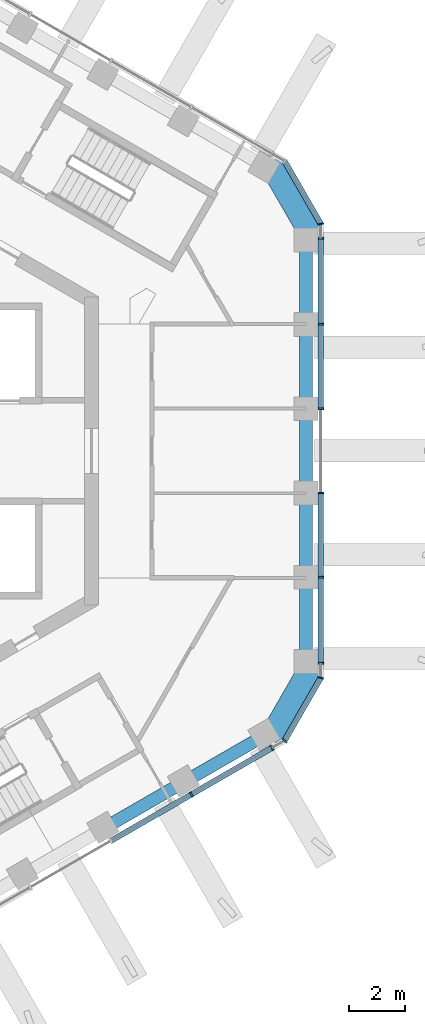
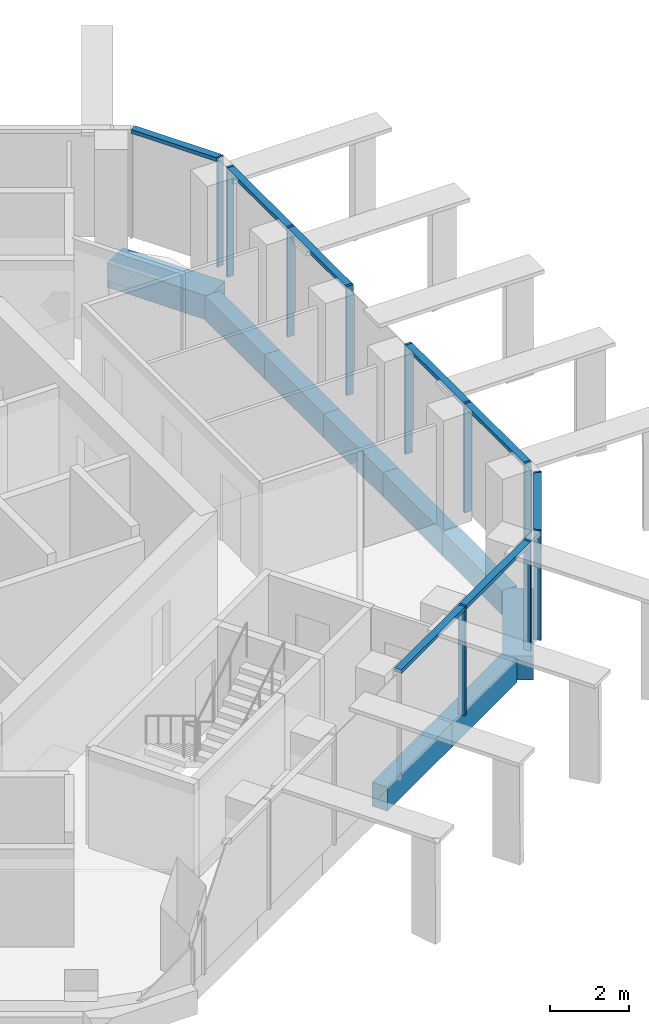
# One storey, part 4 of 18: 16 members, 9 beams, 4 elements without a shape of their own.
"""IFC4 building model written with IfcOpenShell, lengths in metres."""

from ifc_helpers import new_model, si_unit, direction, frame, origin, origin_2d, place, context, subcontext, project, spatial, rectangle, extrude, material, layer, layer_set, material_profile, profile_set, type_object, element, aggregate, save


model = new_model("IFC4")

# Units and contexts
model_context = context("Model", 3, precision=1e-05, world=origin(), true_north=direction((0.0, 1.0)))
body_context = subcontext(model_context, "Body", "Model", "MODEL_VIEW")
ifc_project = project(units=[si_unit("LENGTHUNIT", "METRE"), si_unit("AREAUNIT", "SQUARE_METRE"), si_unit("VOLUMEUNIT", "CUBIC_METRE"), si_unit("PLANEANGLEUNIT", "RADIAN"), si_unit("MASSUNIT", "GRAM", prefix="KILO")], contexts=[model_context])

# Site, building, storey
site_placement = place(None, origin())
site = spatial("IfcSite", under=ifc_project, at=site_placement, CompositionType="ELEMENT")
building_placement = place(site_placement, origin())
building = spatial("IfcBuilding", under=site, at=building_placement, Name="Ayvan Gate Tower", CompositionType="ELEMENT")
storey_placement = place(building_placement, frame((0.0, 0.0, 242.699951171875)))
storey = spatial("IfcBuildingStorey", under=building, at=storey_placement, Name="L65", CompositionType="ELEMENT", Elevation=242.699951171875)

# Beams
ifc_material_1 = material(Name="Concrete C40/50", Category="concrete")
ifc_material_profile_1 = material_profile(ifc_material_1, rectangle(XDim=0.800048828125, YDim=0.75, at=origin_2d()), Name="RC 800x750")
ifc_profile_set_1 = profile_set([ifc_material_profile_1], Name="Concrete C40/50")
beam_type_1 = type_object("IfcBeamType", Name="Corner spandrel beam RC 800x750 C40/50", PredefinedType="BEAM", material=ifc_profile_set_1)
for number, where, z_axis, x_axis, name in (
    (1, (17.078125, 7.662841796875, -0.724853515625), (-0.499990139034, 0.866031096941, 0.0), (-0.866031096941, -0.499990139034, 0.0), "SB-L65-6"),
    (2, (15.578125, -10.260986328125, -0.724853515625), (0.499990139034, 0.866031096941, 0.0), (-0.866031096941, 0.499990139034, 0.0), "SB-L65-36"),
):
    element("IfcBeam", number, at=place(storey_placement, frame(where, z_axis=z_axis, x_axis=x_axis)), inside=storey, type_object=beam_type_1, Name=name, PredefinedType="BEAM", context=body_context, shape_type="SweptSolid", body=[
        extrude(rectangle(XDim=0.800048828125, YDim=0.75, at=origin_2d()), origin(), (0.0, 0.0, 1.0), 3.0),
    ])
ifc_material_profile_2 = material_profile(ifc_material_1, rectangle(XDim=0.449951171875, YDim=0.75, at=origin_2d()), Name="RC 450x750")
ifc_profile_set_2 = profile_set([ifc_material_profile_2], Name="Concrete C40/50")
beam_type_2 = type_object("IfcBeamType", Name="Spandrel beam RC 450x750 C40/50", PredefinedType="BEAM", material=ifc_profile_set_2)
for number, where, z_axis, x_axis, name in (
    (3, (16.887451171875, -7.552978515625, -0.724853515625), (0.0, 1.0, 0.0), (-1.0, 0.0, 0.0), "SB-L65-1"),
    (4, (16.887451171875, -4.53173828125, -0.724853515625), (0.0, 1.0, 0.0), (-1.0, 0.0, 0.0), "SB-L65-2"),
):
    element("IfcBeam", number, at=place(storey_placement, frame(where, z_axis=z_axis, x_axis=x_axis)), inside=storey, type_object=beam_type_2, Name=name, PredefinedType="BEAM", context=body_context, shape_type="SweptSolid", body=[
        extrude(rectangle(XDim=0.449951171875, YDim=0.75, at=origin_2d()), origin(), (0.0, 0.0, 1.0), 3.021240234375),
    ])
beam_1_placement = place(storey_placement, frame((16.887451171875, -1.510498046875, -0.724853515625), z_axis=(0.0, 1.0, 0.0), x_axis=(-1.0, 0.0, 0.0)))
element("IfcBeam", 5, at=beam_1_placement, inside=storey, type_object=beam_type_2, Name="SB-L65-3", PredefinedType="BEAM", context=body_context, shape_type="SweptSolid", body=[
    extrude(rectangle(XDim=0.449951171875, YDim=0.75, at=origin_2d()), origin(), (0.0, 0.0, 1.0), 3.02099609375),
])
for number, where, z_axis, x_axis, name in (
    (6, (16.887451171875, 1.510498046875, -0.724853515625), (0.0, 1.0, 0.0), (-1.0, 0.0, 0.0), "SB-L65-4"),
    (7, (16.887451171875, 4.53173828125, -0.724853515625), (0.0, 1.0, 0.0), (-1.0, 0.0, 0.0), "SB-L65-5"),
):
    element("IfcBeam", number, at=place(storey_placement, frame(where, z_axis=z_axis, x_axis=x_axis)), inside=storey, type_object=beam_type_2, Name=name, PredefinedType="BEAM", context=body_context, shape_type="SweptSolid", body=[
        extrude(rectangle(XDim=0.449951171875, YDim=0.75, at=origin_2d()), origin(), (0.0, 0.0, 1.0), 3.021240234375),
    ])
beam_2_placement = place(storey_placement, frame((9.67138671875, -13.451171875, -0.724853515625), z_axis=(0.8660266723, 0.49999780286, 0.0), x_axis=(-0.49999780286, 0.8660266723, 0.0)))
element("IfcBeam", 8, at=beam_2_placement, inside=storey, type_object=beam_type_2, Name="SB-L65-34", PredefinedType="BEAM", context=body_context, shape_type="SweptSolid", body=[
    extrude(rectangle(XDim=0.449951171875, YDim=0.75, at=origin_2d()), origin(), (0.0, 0.0, 1.0), 3.30029296875),
])
beam_3_placement = place(storey_placement, frame((12.529541015625, -11.801025390625, -0.724853515625), z_axis=(0.866008176907, 0.50002983664, 0.0), x_axis=(-0.50002983664, 0.866008176907, 0.0)))
element("IfcBeam", 9, at=beam_3_placement, inside=storey, type_object=beam_type_2, Name="SB-L65-35", PredefinedType="BEAM", context=body_context, shape_type="SweptSolid", body=[
    extrude(rectangle(XDim=0.449951171875, YDim=0.75, at=origin_2d()), origin(), (0.0, 0.0, 1.0), 3.300048828125),
])

# Curtain wall, members
ifc_material_2 = material(Name="Bronze anodised aluminium", Category="aluminium")
ifc_layer_1 = layer(ifc_material_2, 0.199951171875)
ifc_layer_set_1 = layer_set([ifc_layer_1], Name="Bronze anodised aluminium")
curtain_wall_type_1 = type_object("IfcCurtainWallType", Name="Stick curtain wall CW-2", PredefinedType="NOTDEFINED", material=ifc_layer_set_1)
curtain_wall_1_placement = place(storey_placement, origin())
curtain_wall_1 = element("IfcCurtainWall", 10, at=curtain_wall_1_placement, inside=storey, type_object=curtain_wall_type_1, Name="Stick curtain wall CW-2 L65", PredefinedType="NOTDEFINED")
ifc_material_profile_3 = material_profile(ifc_material_2, rectangle(XDim=0.199951171875, YDim=0.070068359375, at=origin_2d()), Name="Stick curtain wall CW-2 mullion 200 x 70")
ifc_profile_set_3 = profile_set([ifc_material_profile_3], Name="Bronze anodised aluminium")
member_type_1 = type_object("IfcMemberType", Name="Stick curtain wall CW-2 mullion 200 x 70", PredefinedType="MULLION", material=ifc_profile_set_3)
member_1_placement = place(storey_placement, frame((12.79833984375, -12.2373046875, 0.0), z_axis=(0.0, 0.0, 1.0), x_axis=(0.5, -0.866025403784, 0.0)))
member_1 = element("IfcMember", 11, at=member_1_placement, type_object=member_type_1, Name="CW-2 mullion 5", PredefinedType="MULLION", context=body_context, shape_type="SweptSolid", body=[
    extrude(rectangle(XDim=0.199951171875, YDim=0.070068359375, at=origin_2d()), origin(), (0.0, 0.0, 1.0), 3.400146484375),
])
member_2_placement = place(storey_placement, frame((15.679443359375, -10.573974609375, 0.0), z_axis=(0.0, 0.0, 1.0), x_axis=(0.5, -0.866025403784, 0.0)))
member_2 = element("IfcMember", 12, at=member_2_placement, type_object=member_type_1, Name="CW-2 mullion 6", PredefinedType="MULLION", context=body_context, shape_type="SweptSolid", body=[
    extrude(rectangle(XDim=0.199951171875, YDim=0.070068359375, at=origin_2d()), origin(), (0.0, 0.0, 1.0), 3.400146484375),
])

curtain_wall_2_placement = place(storey_placement, origin())
curtain_wall_2 = element("IfcCurtainWall", 13, at=curtain_wall_2_placement, inside=storey, type_object=curtain_wall_type_1, Name="Stick curtain wall CW-2 L65", PredefinedType="NOTDEFINED")
member_3_placement = place(storey_placement, frame((17.41259765625, -7.572265625, 0.0), z_axis=(0.0, 0.0, 1.0), x_axis=(1.0, 0.0, 0.0)))
member_3 = element("IfcMember", 14, at=member_3_placement, type_object=member_type_1, Name="CW-2 mullion 1", PredefinedType="MULLION", context=body_context, shape_type="SweptSolid", body=[
    extrude(rectangle(XDim=0.199951171875, YDim=0.070068359375, at=origin_2d()), origin(), (0.0, 0.0, 1.0), 3.400146484375),
])
member_4_placement = place(storey_placement, frame((17.41259765625, -4.50244140625, 0.0), z_axis=(0.0, 0.0, 1.0), x_axis=(1.0, 0.0, 0.0)))
member_4 = element("IfcMember", 15, at=member_4_placement, type_object=member_type_1, Name="CW-2 mullion 2", PredefinedType="MULLION", context=body_context, shape_type="SweptSolid", body=[
    extrude(rectangle(XDim=0.199951171875, YDim=0.070068359375, at=origin_2d()), origin(), (0.0, 0.0, 1.0), 3.400146484375),
])
member_5_placement = place(storey_placement, frame((17.41259765625, -1.50048828125, 0.0), z_axis=(0.0, 0.0, 1.0), x_axis=(1.0, 0.0, 0.0)))
member_5 = element("IfcMember", 16, at=member_5_placement, type_object=member_type_1, Name="CW-2 mullion 3", PredefinedType="MULLION", context=body_context, shape_type="SweptSolid", body=[
    extrude(rectangle(XDim=0.199951171875, YDim=0.070068359375, at=origin_2d()), origin(), (0.0, 0.0, 1.0), 3.400146484375),
])
member_6_placement = place(storey_placement, frame((17.41259765625, 1.500732421875, 0.0), z_axis=(0.0, 0.0, 1.0), x_axis=(1.0, 0.0, 0.0)))
member_6 = element("IfcMember", 17, at=member_6_placement, type_object=member_type_1, Name="CW-2 mullion 4", PredefinedType="MULLION", context=body_context, shape_type="SweptSolid", body=[
    extrude(rectangle(XDim=0.199951171875, YDim=0.070068359375, at=origin_2d()), origin(), (0.0, 0.0, 1.0), 3.400146484375),
])
member_7_placement = place(storey_placement, frame((17.41259765625, 4.502685546875, 0.0), z_axis=(0.0, 0.0, 1.0), x_axis=(1.0, 0.0, 0.0)))
member_7 = element("IfcMember", 18, at=member_7_placement, type_object=member_type_1, Name="CW-2 mullion 5", PredefinedType="MULLION", context=body_context, shape_type="SweptSolid", body=[
    extrude(rectangle(XDim=0.199951171875, YDim=0.070068359375, at=origin_2d()), origin(), (0.0, 0.0, 1.0), 3.400146484375),
])
member_8_placement = place(storey_placement, frame((17.41259765625, 7.572265625, 0.0), z_axis=(0.0, 0.0, 1.0), x_axis=(1.0, 0.0, 0.0)))
member_8 = element("IfcMember", 19, at=member_8_placement, type_object=member_type_1, Name="CW-2 mullion 6", PredefinedType="MULLION", context=body_context, shape_type="SweptSolid", body=[
    extrude(rectangle(XDim=0.199951171875, YDim=0.070068359375, at=origin_2d()), origin(), (0.0, 0.0, 1.0), 3.400146484375),
])

# Member
ifc_material_profile_4 = material_profile(ifc_material_2, rectangle(XDim=0.199951171875, YDim=0.1201171875, at=origin_2d()), Name="Stick curtain wall CW-2 transom 200 x 120")
ifc_profile_set_4 = profile_set([ifc_material_profile_4], Name="Bronze anodised aluminium")
member_type_2 = type_object("IfcMemberType", Name="Stick curtain wall CW-2 transom 200 x 120", PredefinedType="USERDEFINED", material=ifc_profile_set_4)
member_9_placement = place(storey_placement, frame((9.962158203125, -13.874755859375, 3.340087890625), z_axis=(0.866031626602, 0.49998922161, 0.0), x_axis=(-0.49998922161, 0.866031626602, 0.0)))
member_9 = element("IfcMember", 20, at=member_9_placement, type_object=member_type_2, Name="CW-2 transom 2", ObjectType="TRANSOM", PredefinedType="USERDEFINED", context=body_context, shape_type="SweptSolid", body=[
    extrude(rectangle(XDim=0.199951171875, YDim=0.1201171875, at=origin_2d()), origin(), (0.0, 0.0, 1.0), 6.601806640625),
])

aggregate(curtain_wall_1, [member_1, member_2, member_9])

member_10_placement = place(storey_placement, frame((17.41259765625, -7.572265625, 3.340087890625), z_axis=(0.0, 1.0, 0.0), x_axis=(-1.0, 0.0, 0.0)))
member_10 = element("IfcMember", 21, at=member_10_placement, type_object=member_type_2, Name="CW-2 transom 1", ObjectType="TRANSOM", PredefinedType="USERDEFINED", context=body_context, shape_type="SweptSolid", body=[
    extrude(rectangle(XDim=0.199951171875, YDim=0.1201171875, at=origin_2d()), origin(), (0.0, 0.0, 1.0), 6.036865234375),
])

member_11_placement = place(storey_placement, frame((17.41259765625, 1.53564453125, 3.340087890625), z_axis=(0.0, 1.0, 0.0), x_axis=(-1.0, 0.0, 0.0)))
member_11 = element("IfcMember", 22, at=member_11_placement, type_object=member_type_2, Name="CW-2 transom 2", ObjectType="TRANSOM", PredefinedType="USERDEFINED", context=body_context, shape_type="SweptSolid", body=[
    extrude(rectangle(XDim=0.199951171875, YDim=0.1201171875, at=origin_2d()), origin(), (0.0, 0.0, 1.0), 6.03662109375),
])

aggregate(curtain_wall_2, [member_3, member_4, member_5, member_6, member_7, member_8, member_10, member_11])

# Curtain wall, members
ifc_layer_2 = layer(ifc_material_2, 0.199951171875)
ifc_layer_set_2 = layer_set([ifc_layer_2], Name="Bronze anodised aluminium")
curtain_wall_type_2 = type_object("IfcCurtainWallType", Name="Stick curtain wall CW-6", PredefinedType="NOTDEFINED", material=ifc_layer_set_2)
curtain_wall_3_placement = place(storey_placement, origin())
curtain_wall_3 = element("IfcCurtainWall", 23, at=curtain_wall_3_placement, inside=storey, type_object=curtain_wall_type_2, Name="Stick curtain wall CW-6 L65", PredefinedType="NOTDEFINED")
ifc_material_profile_5 = material_profile(ifc_material_2, rectangle(XDim=0.199951171875, YDim=0.050048828125, at=origin_2d()), Name="Stick curtain wall CW-6 mullion 200 x 50")
ifc_profile_set_5 = profile_set([ifc_material_profile_5], Name="Bronze anodised aluminium")
member_type_3 = type_object("IfcMemberType", Name="Stick curtain wall CW-6 mullion 200 x 50", PredefinedType="MULLION", material=ifc_profile_set_5)
member_12_placement = place(storey_placement, frame((16.12109375, -10.31884765625, 0.0), z_axis=(0.0, 0.0, 1.0), x_axis=(0.707106781187, -0.707106781187, 0.0)))
member_12 = element("IfcMember", 24, at=member_12_placement, type_object=member_type_3, Name="CW-6 mullion 2", PredefinedType="MULLION", context=body_context, shape_type="SweptSolid", body=[
    extrude(rectangle(XDim=0.199951171875, YDim=0.050048828125, at=origin_2d()), origin(), (0.0, 0.0, 1.0), 3.400146484375),
])
member_13_placement = place(storey_placement, frame((17.41259765625, -8.082275390625, 0.0), z_axis=(0.0, 0.0, 1.0), x_axis=(0.965925826289, -0.258819045103, 0.0)))
member_13 = element("IfcMember", 25, at=member_13_placement, type_object=member_type_3, Name="CW-6 mullion 3", PredefinedType="MULLION", context=body_context, shape_type="SweptSolid", body=[
    extrude(rectangle(XDim=0.199951171875, YDim=0.050048828125, at=origin_2d()), origin(), (0.0, 0.0, 1.0), 3.400146484375),
])

# Curtain wall, member
curtain_wall_4_placement = place(storey_placement, origin())
curtain_wall_4 = element("IfcCurtainWall", 26, at=curtain_wall_4_placement, inside=storey, type_object=curtain_wall_type_2, Name="Stick curtain wall CW-6 L65", PredefinedType="NOTDEFINED")
member_14_placement = place(storey_placement, frame((17.41259765625, 8.082275390625, 0.0), z_axis=(0.0, 0.0, 1.0), x_axis=(0.965925826289, 0.258819045103, 0.0)))
member_14 = element("IfcMember", 27, at=member_14_placement, type_object=member_type_3, Name="CW-6 mullion 2", PredefinedType="MULLION", context=body_context, shape_type="SweptSolid", body=[
    extrude(rectangle(XDim=0.199951171875, YDim=0.050048828125, at=origin_2d()), origin(), (0.0, 0.0, 1.0), 3.400146484375),
])

# Member
ifc_material_profile_6 = material_profile(ifc_material_2, rectangle(XDim=0.199951171875, YDim=0.1201171875, at=origin_2d()), Name="Stick curtain wall CW-6 transom 200 x 120")
ifc_profile_set_6 = profile_set([ifc_material_profile_6], Name="Bronze anodised aluminium")
member_type_4 = type_object("IfcMemberType", Name="Stick curtain wall CW-6 transom 200 x 120", PredefinedType="USERDEFINED", material=ifc_profile_set_6)
member_15_placement = place(storey_placement, frame((16.1337890625, -10.29736328125, 3.340087890625), z_axis=(0.499933856714, 0.866063588261, 0.0), x_axis=(-0.866063588261, 0.499933856714, 0.0)))
member_15 = element("IfcMember", 28, at=member_15_placement, type_object=member_type_4, Name="CW-6 transom 2", ObjectType="TRANSOM", PredefinedType="USERDEFINED", context=body_context, shape_type="SweptSolid", body=[
    extrude(rectangle(XDim=0.199951171875, YDim=0.1201171875, at=origin_2d()), origin(), (0.0, 0.0, 1.0), 2.532470703125),
])

aggregate(curtain_wall_3, [member_12, member_13, member_15])

member_16_placement = place(storey_placement, frame((17.39990234375, 8.10400390625, 3.340087890625), z_axis=(-0.499933856714, 0.866063588261, 0.0), x_axis=(-0.866063588261, -0.499933856714, 0.0)))
member_16 = element("IfcMember", 29, at=member_16_placement, type_object=member_type_4, Name="CW-6 transom 2", ObjectType="TRANSOM", PredefinedType="USERDEFINED", context=body_context, shape_type="SweptSolid", body=[
    extrude(rectangle(XDim=0.199951171875, YDim=0.1201171875, at=origin_2d()), origin(), (0.0, 0.0, 1.0), 2.532470703125),
])

aggregate(curtain_wall_4, [member_14, member_16])

save(model, "model.ifc")
